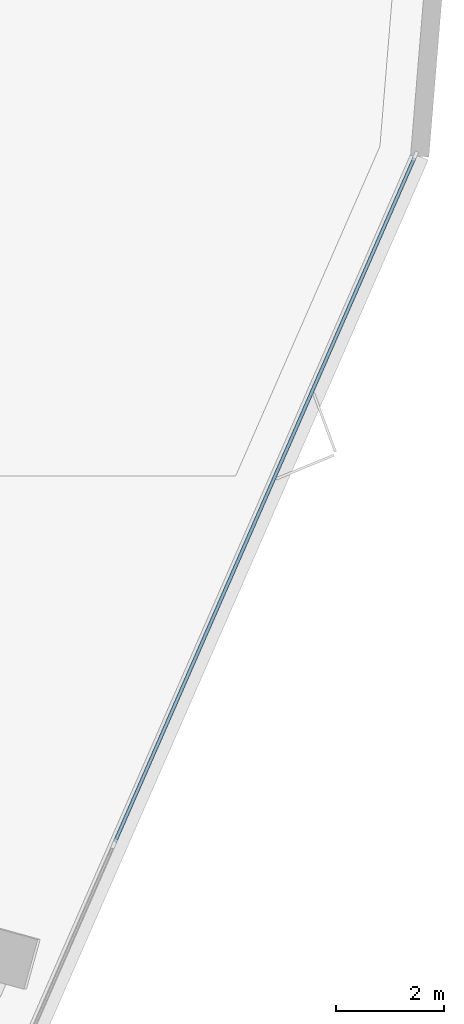
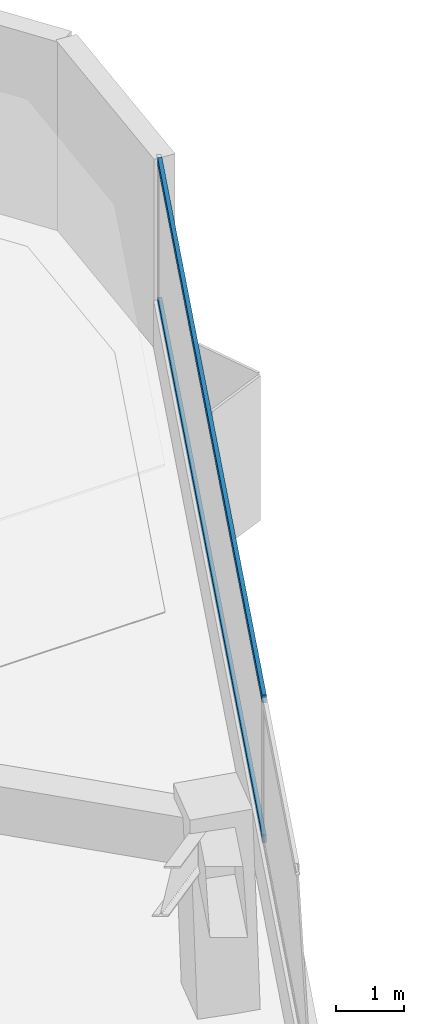
# One storey, part 11 of 21: 2 members, 1 element without a shape of its own.
"""IFC4 building model written with IfcOpenShell, lengths in metres."""

from ifc_helpers import new_model, si_unit, direction, frame, origin, origin_2d, place, context, subcontext, project, spatial, rectangle, extrude, material, layer, layer_set, material_profile, profile_set, type_object, element, aggregate, save


model = new_model("IFC4")

# Units and contexts
model_context = context("Model", 3, precision=1e-05, world=origin(), true_north=direction((0.0, 1.0)))
body_context = subcontext(model_context, "Body", "Model", "MODEL_VIEW")
ifc_project = project(units=[si_unit("LENGTHUNIT", "METRE"), si_unit("AREAUNIT", "SQUARE_METRE"), si_unit("VOLUMEUNIT", "CUBIC_METRE"), si_unit("PLANEANGLEUNIT", "RADIAN"), si_unit("MASSUNIT", "GRAM", prefix="KILO")], contexts=[model_context])

# Site, building, storey
site_placement = place(None, origin())
site = spatial("IfcSite", under=ifc_project, at=site_placement, CompositionType="ELEMENT")
building_placement = place(site_placement, origin())
building = spatial("IfcBuilding", under=site, at=building_placement, Name="Talyreon Biosciences Tower", CompositionType="ELEMENT")
storey_placement = place(building_placement, frame((0.0, 0.0, 55.64990234375)))
storey = spatial("IfcBuildingStorey", under=building, at=storey_placement, Name="L14", CompositionType="ELEMENT", Elevation=55.64990234375)

# Curtain wall, members
ifc_material_1 = material(Name="Thermally broken aluminium and low-E glazing", Category="aluminium")
ifc_layer = layer(ifc_material_1, 0.195068359375)
ifc_layer_set = layer_set([ifc_layer], Name="Thermally broken aluminium and low-E glazing")
curtain_wall_type = type_object("IfcCurtainWallType", Name="CurtainWall_Zone1WetLab", PredefinedType="NOTDEFINED", material=ifc_layer_set)
curtain_wall_placement = place(storey_placement, origin())
curtain_wall = element("IfcCurtainWall", 1, at=curtain_wall_placement, inside=storey, type_object=curtain_wall_type, Name="L14 Unitised Curtain Wall FCW-L14-08", PredefinedType="NOTDEFINED")
ifc_material_2 = material(Name="Anodised thermally broken aluminium", Category="aluminium")
ifc_material_profile = material_profile(ifc_material_2, rectangle(XDim=0.06494140625, YDim=0.139892578125, at=origin_2d()), Name="ALUM TRANSOM 65x140")
ifc_profile_set = profile_set([ifc_material_profile], Name="Anodised thermally broken aluminium")
member_type = type_object("IfcMemberType", Name="CWTransom_65x140", PredefinedType="USERDEFINED", material=ifc_profile_set)
member_1_placement = place(storey_placement, frame((98.579833984375, 84.141357421875, 0.842529296875), z_axis=(-0.400982781264, -0.916085590504, 0.0), x_axis=(0.916085590504, -0.400982781264, 0.0)))
member_1 = element("IfcMember", 2, at=member_1_placement, type_object=member_type, Name="CW2 transom 1.1", ObjectType="TRANSOM", PredefinedType="USERDEFINED", context=body_context, shape_type="SweptSolid", body=[
    extrude(rectangle(XDim=0.06494140625, YDim=0.139892578125, at=origin_2d()), origin(), (0.0, 0.0, 1.0), 13.826416015625),
])
member_2_placement = place(storey_placement, frame((98.579833984375, 84.141357421875, 3.342529296875), z_axis=(-0.400982781264, -0.916085590504, 0.0), x_axis=(0.916085590504, -0.400982781264, 0.0)))
member_2 = element("IfcMember", 3, at=member_2_placement, type_object=member_type, Name="CW2 transom 1.2", ObjectType="TRANSOM", PredefinedType="USERDEFINED", context=body_context, shape_type="SweptSolid", body=[
    extrude(rectangle(XDim=0.06494140625, YDim=0.139892578125, at=origin_2d()), origin(), (0.0, 0.0, 1.0), 13.826416015625),
])
aggregate(curtain_wall, [member_1, member_2])

save(model, "model.ifc")
